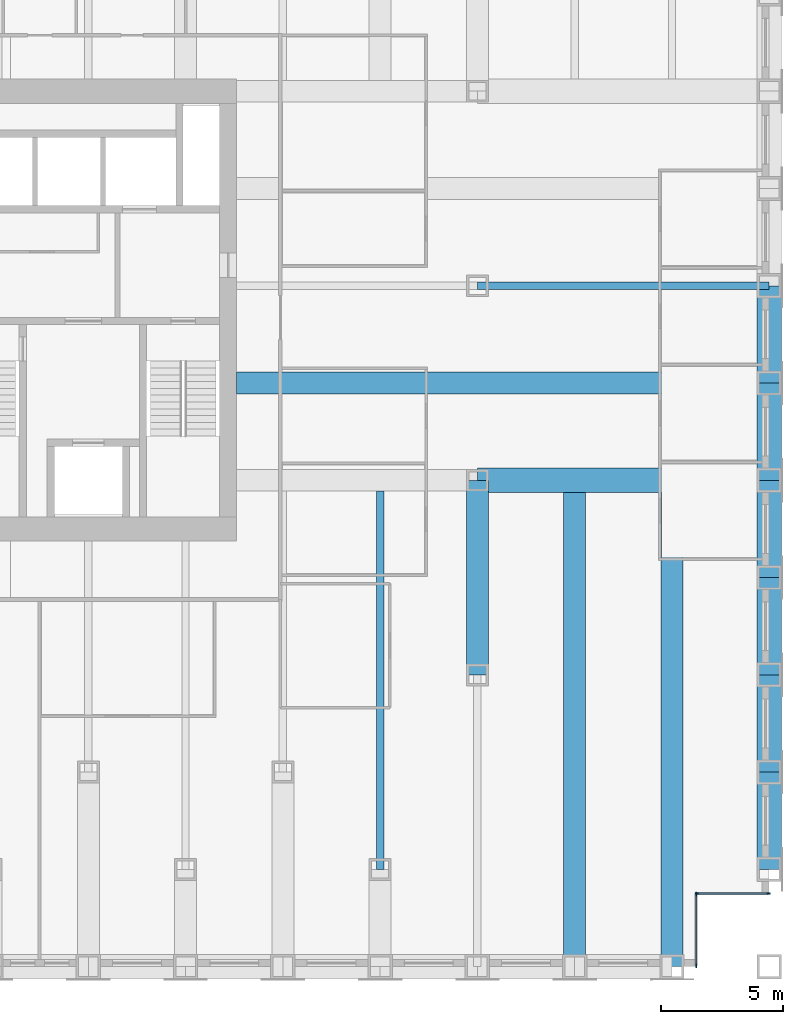
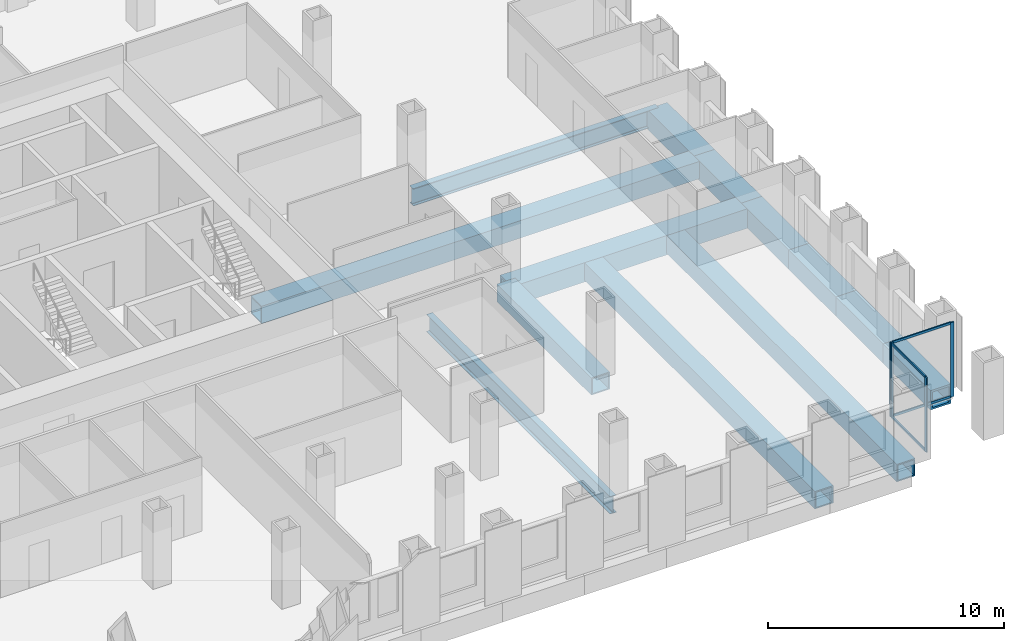
# One storey, part 4 of 16: 13 beams, 8 members, 2 elements without a shape of their own.
"""IFC4 building model written with IfcOpenShell, lengths in metres."""

from ifc_helpers import new_model, si_unit, direction, frame, origin, origin_2d, place, context, subcontext, project, spatial, rectangle, hollow_rectangle, i_section, extrude, material, material_profile, profile_set, type_object, element, aggregate, save


model = new_model("IFC4")

# Units and contexts
model_context = context("Model", 3, precision=1e-05, world=origin(), true_north=direction((0.0, 1.0)))
body_context = subcontext(model_context, "Body", "Model", "MODEL_VIEW")
ifc_project = project(units=[si_unit("LENGTHUNIT", "METRE"), si_unit("AREAUNIT", "SQUARE_METRE"), si_unit("VOLUMEUNIT", "CUBIC_METRE"), si_unit("PLANEANGLEUNIT", "RADIAN"), si_unit("MASSUNIT", "GRAM", prefix="KILO")], contexts=[model_context])

# Site, building, storey
site_placement = place(None, origin())
site = spatial("IfcSite", under=ifc_project, at=site_placement, CompositionType="ELEMENT")
building_placement = place(site_placement, origin())
building = spatial("IfcBuilding", under=site, at=building_placement, Name="Rimbunsela Tower", CompositionType="ELEMENT")
storey_placement = place(building_placement, frame((0.0, 0.0, 81.39990234375)))
storey = spatial("IfcBuildingStorey", under=building, at=storey_placement, Name="L19", CompositionType="ELEMENT", Elevation=81.39990234375)

# Beams
ifc_material_1 = material(Name="Steel BJ 55 (fy 410 MPa)", Category="steel")
ifc_material_profile_1 = material_profile(ifc_material_1, hollow_rectangle(XDim=1.0, YDim=1.0, WallThickness=0.10009765625, at=origin_2d()), Name="BOX 1000x1000x100")
ifc_profile_set_1 = profile_set([ifc_material_profile_1], Name="Steel BJ 55 (fy 410 MPa)")
beam_type_1 = type_object("IfcBeamType", Name="Beam BOX 1000x1000x100", PredefinedType="BEAM", material=ifc_profile_set_1)
beam_1_placement = place(storey_placement, frame((46.0, 20.0, -0.64990234375), z_axis=(1.0, 0.0, 0.0), x_axis=(0.0, 1.0, 0.0)))
element("IfcBeam", 1, at=beam_1_placement, inside=storey, type_object=beam_type_1, Name="Beam B3 L19", PredefinedType="BEAM", context=body_context, shape_type="SweptSolid", body=[
    extrude(hollow_rectangle(XDim=1.0, YDim=1.0, WallThickness=0.10009765625, at=origin_2d()), origin(), (0.0, 0.0, 1.0), 12.0),
])
for number, where, z_axis, x_axis, name in (
    (2, (58.0, 4.0, -0.64990234375), (0.0, 1.0, 0.0), (-1.0, 0.0, 0.0), "Beam B3 L19"),
    (3, (58.0, 8.0, -0.64990234375), (0.0, 1.0, 0.0), (-1.0, 0.0, 0.0), "Beam B3 L19"),
    (4, (58.0, 12.0, -0.64990234375), (0.0, 1.0, 0.0), (-1.0, 0.0, 0.0), "Beam B3 L19"),
    (5, (58.0, 16.0, -0.64990234375), (0.0, 1.0, 0.0), (-1.0, 0.0, 0.0), "Beam B3 L19"),
    (6, (58.0, 20.0, -0.64990234375), (0.0, 1.0, 0.0), (-1.0, 0.0, 0.0), "Beam B3 L19"),
    (7, (58.0, 24.0, -0.64990234375), (0.0, 1.0, 0.0), (-1.0, 0.0, 0.0), "Beam B3 L19"),
):
    element("IfcBeam", number, at=place(storey_placement, frame(where, z_axis=z_axis, x_axis=x_axis)), inside=storey, type_object=beam_type_1, Name=name, PredefinedType="BEAM", context=body_context, shape_type="SweptSolid", body=[
        extrude(hollow_rectangle(XDim=1.0, YDim=1.0, WallThickness=0.10009765625, at=origin_2d()), origin(), (0.0, 0.0, 1.0), 4.0),
    ])
ifc_material_2 = material(Name="Steel BJ 55 (fy 410 MPa)", Category="steel")
ifc_material_profile_2 = material_profile(ifc_material_2, hollow_rectangle(XDim=0.89990234375, YDim=0.89990234375, WallThickness=0.06005859375, at=origin_2d()), Name="BOX 900x900x60")
ifc_profile_set_2 = profile_set([ifc_material_profile_2], Name="Steel BJ 55 (fy 410 MPa)")
beam_type_2 = type_object("IfcBeamType", Name="Beam BOX 900x900x60", PredefinedType="BEAM", material=ifc_profile_set_2)
beam_2_placement = place(storey_placement, frame((36.10009765625, 24.0, -0.599853515625), z_axis=(1.0, 0.0, 0.0), x_axis=(0.0, 1.0, 0.0)))
element("IfcBeam", 8, at=beam_2_placement, inside=storey, type_object=beam_type_2, Name="Beam B1 L19", PredefinedType="BEAM", context=body_context, shape_type="SweptSolid", body=[
    extrude(hollow_rectangle(XDim=0.89990234375, YDim=0.89990234375, WallThickness=0.06005859375, at=origin_2d()), origin(), (0.0, 0.0, 1.0), 21.89990234375),
])
beam_3_placement = place(storey_placement, frame((46.0, 12.0, -0.599853515625), z_axis=(0.0, 1.0, 0.0), x_axis=(-1.0, 0.0, 0.0)))
element("IfcBeam", 9, at=beam_3_placement, inside=storey, type_object=beam_type_2, Name="Beam B1 L19", PredefinedType="BEAM", context=body_context, shape_type="SweptSolid", body=[
    extrude(hollow_rectangle(XDim=0.89990234375, YDim=0.89990234375, WallThickness=0.06005859375, at=origin_2d()), origin(), (0.0, 0.0, 1.0), 8.0),
])
for number, where, z_axis, x_axis, name in (
    (10, (50.0, 0.0, -0.599853515625), (0.0, 1.0, 0.0), (-1.0, 0.0, 0.0), "Beam B1 L19"),
    (11, (54.0, 0.0, -0.599853515625), (0.0, 1.0, 0.0), (-1.0, 0.0, 0.0), "Beam B1 L19"),
):
    element("IfcBeam", number, at=place(storey_placement, frame(where, z_axis=z_axis, x_axis=x_axis)), inside=storey, type_object=beam_type_2, Name=name, PredefinedType="BEAM", context=body_context, shape_type="SweptSolid", body=[
        extrude(hollow_rectangle(XDim=0.89990234375, YDim=0.89990234375, WallThickness=0.06005859375, at=origin_2d()), origin(), (0.0, 0.0, 1.0), 19.5),
    ])
ifc_material_3 = material(Name="Steel BJ 55 (fy 410 MPa)", Category="steel")
ifc_material_profile_3 = material_profile(ifc_material_3, i_section(OverallWidth=0.300048828125, OverallDepth=0.89990234375, WebThickness=0.01611328125, FlangeThickness=0.028076171875, FilletRadius=0.028076171875, at=origin_2d()), Name="H 900x300x16x28")
ifc_profile_set_3 = profile_set([ifc_material_profile_3], Name="Steel BJ 55 (fy 410 MPa)")
beam_type_3 = type_object("IfcBeamType", Name="Beam H 900x300x16x28", PredefinedType="BEAM", material=ifc_profile_set_3)
beam_4_placement = place(storey_placement, frame((42.0, 4.0, -0.599853515625), z_axis=(0.0, 1.0, 0.0), x_axis=(-1.0, 0.0, 0.0)))
element("IfcBeam", 12, at=beam_4_placement, inside=storey, type_object=beam_type_3, Name="Beam B2 L19", PredefinedType="BEAM", context=body_context, shape_type="SweptSolid", body=[
    extrude(i_section(OverallWidth=0.300048828125, OverallDepth=0.89990234375, WebThickness=0.01611328125, FlangeThickness=0.028076171875, FilletRadius=0.028076171875, at=origin_2d()), origin(), (0.0, 0.0, 1.0), 15.550048828125),
])
beam_5_placement = place(storey_placement, frame((46.0, 28.0, -0.599853515625), z_axis=(1.0, 0.0, 0.0), x_axis=(0.0, 1.0, 0.0)))
element("IfcBeam", 13, at=beam_5_placement, inside=storey, type_object=beam_type_3, Name="Beam B2 L19", PredefinedType="BEAM", context=body_context, shape_type="SweptSolid", body=[
    extrude(i_section(OverallWidth=0.300048828125, OverallDepth=0.89990234375, WebThickness=0.01611328125, FlangeThickness=0.028076171875, FilletRadius=0.028076171875, at=origin_2d()), origin(), (0.0, 0.0, 1.0), 12.0),
])

# Curtain wall, members
ifc_material_4 = material(Name="Aluminium curtain wall", Category="aluminium")
curtain_wall_type = type_object("IfcCurtainWallType", Name="Corner glazing", PredefinedType="USERDEFINED", material=ifc_material_4)
curtain_wall_1_placement = place(storey_placement, origin())
curtain_wall_1 = element("IfcCurtainWall", 14, at=curtain_wall_1_placement, inside=storey, type_object=curtain_wall_type, Name="Corner glazing L19", ObjectType="CORNER GLAZING", PredefinedType="USERDEFINED")
ifc_material_5 = material(Name="Aluminium mullion", Category="aluminium")
ifc_material_profile_4 = material_profile(ifc_material_5, rectangle(XDim=0.06005859375, YDim=0.159912109375, at=origin_2d()), Name="Mullion 60x160")
ifc_profile_set_4 = profile_set([ifc_material_profile_4], Name="Aluminium mullion")
member_type_1 = type_object("IfcMemberType", Name="Curtain wall mullion 60x160", PredefinedType="MULLION", material=ifc_profile_set_4)
member_1_placement = place(storey_placement, frame((55.0, 0.030029296875, 0.0), z_axis=(0.0, 0.0, 1.0), x_axis=(-1.0, 0.0, 0.0)))
member_1 = element("IfcMember", 15, at=member_1_placement, type_object=member_type_1, Name="CW5 mullion 1", PredefinedType="MULLION", context=body_context, shape_type="SweptSolid", body=[
    extrude(rectangle(XDim=0.06005859375, YDim=0.159912109375, at=origin_2d()), origin(), (0.0, 0.0, 1.0), 3.85009765625),
])
member_2_placement = place(storey_placement, frame((55.0, 2.969970703125, 0.0), z_axis=(0.0, 0.0, 1.0), x_axis=(-1.0, 0.0, 0.0)))
member_2 = element("IfcMember", 16, at=member_2_placement, type_object=member_type_1, Name="CW5 mullion 2", PredefinedType="MULLION", context=body_context, shape_type="SweptSolid", body=[
    extrude(rectangle(XDim=0.06005859375, YDim=0.159912109375, at=origin_2d()), origin(), (0.0, 0.0, 1.0), 3.85009765625),
])

curtain_wall_2_placement = place(storey_placement, origin())
curtain_wall_2 = element("IfcCurtainWall", 17, at=curtain_wall_2_placement, inside=storey, type_object=curtain_wall_type, Name="Corner glazing L19", ObjectType="CORNER GLAZING", PredefinedType="USERDEFINED")
member_3_placement = place(storey_placement, frame((55.030029296875, 3.0, 0.0), z_axis=(0.0, 0.0, 1.0), x_axis=(0.0, 1.0, 0.0)))
member_3 = element("IfcMember", 18, at=member_3_placement, type_object=member_type_1, Name="CW5 mullion 1", PredefinedType="MULLION", context=body_context, shape_type="SweptSolid", body=[
    extrude(rectangle(XDim=0.06005859375, YDim=0.159912109375, at=origin_2d()), origin(), (0.0, 0.0, 1.0), 3.85009765625),
])
member_4_placement = place(storey_placement, frame((57.969970703125, 3.0, 0.0), z_axis=(0.0, 0.0, 1.0), x_axis=(0.0, 1.0, 0.0)))
member_4 = element("IfcMember", 19, at=member_4_placement, type_object=member_type_1, Name="CW5 mullion 2", PredefinedType="MULLION", context=body_context, shape_type="SweptSolid", body=[
    extrude(rectangle(XDim=0.06005859375, YDim=0.159912109375, at=origin_2d()), origin(), (0.0, 0.0, 1.0), 3.85009765625),
])

# Member
ifc_material_6 = material(Name="Aluminium transom", Category="aluminium")
ifc_material_profile_5 = material_profile(ifc_material_6, rectangle(XDim=0.06005859375, YDim=0.1201171875, at=origin_2d()), Name="Transom 60x120")
ifc_profile_set_5 = profile_set([ifc_material_profile_5], Name="Aluminium transom")
member_type_2 = type_object("IfcMemberType", Name="Curtain wall transom 60x120", PredefinedType="USERDEFINED", material=ifc_profile_set_5)
member_5_placement = place(storey_placement, frame((55.0, 0.06005859375, 0.030029296875), z_axis=(0.0, 1.0, 0.0), x_axis=(-1.0, 0.0, 0.0)))
member_5 = element("IfcMember", 20, at=member_5_placement, type_object=member_type_2, Name="CW5 transom 1.1", ObjectType="TRANSOM", PredefinedType="USERDEFINED", context=body_context, shape_type="SweptSolid", body=[
    extrude(rectangle(XDim=0.06005859375, YDim=0.1201171875, at=origin_2d()), origin(), (0.0, 0.0, 1.0), 2.8798828125),
])

member_6_placement = place(storey_placement, frame((55.0, 0.06005859375, 3.820068359375), z_axis=(0.0, 1.0, 0.0), x_axis=(-1.0, 0.0, 0.0)))
member_6 = element("IfcMember", 21, at=member_6_placement, type_object=member_type_2, Name="CW5 transom 1.2", ObjectType="TRANSOM", PredefinedType="USERDEFINED", context=body_context, shape_type="SweptSolid", body=[
    extrude(rectangle(XDim=0.06005859375, YDim=0.1201171875, at=origin_2d()), origin(), (0.0, 0.0, 1.0), 2.8798828125),
])

aggregate(curtain_wall_1, [member_1, member_2, member_5, member_6])

member_7_placement = place(storey_placement, frame((55.06005859375, 3.0, 0.030029296875), z_axis=(1.0, 0.0, 0.0), x_axis=(0.0, 1.0, 0.0)))
member_7 = element("IfcMember", 22, at=member_7_placement, type_object=member_type_2, Name="CW5 transom 1.1", ObjectType="TRANSOM", PredefinedType="USERDEFINED", context=body_context, shape_type="SweptSolid", body=[
    extrude(rectangle(XDim=0.06005859375, YDim=0.1201171875, at=origin_2d()), origin(), (0.0, 0.0, 1.0), 2.8798828125),
])

member_8_placement = place(storey_placement, frame((55.06005859375, 3.0, 3.820068359375), z_axis=(1.0, 0.0, 0.0), x_axis=(0.0, 1.0, 0.0)))
member_8 = element("IfcMember", 23, at=member_8_placement, type_object=member_type_2, Name="CW5 transom 1.2", ObjectType="TRANSOM", PredefinedType="USERDEFINED", context=body_context, shape_type="SweptSolid", body=[
    extrude(rectangle(XDim=0.06005859375, YDim=0.1201171875, at=origin_2d()), origin(), (0.0, 0.0, 1.0), 2.8798828125),
])

aggregate(curtain_wall_2, [member_3, member_4, member_7, member_8])

save(model, "model.ifc")
